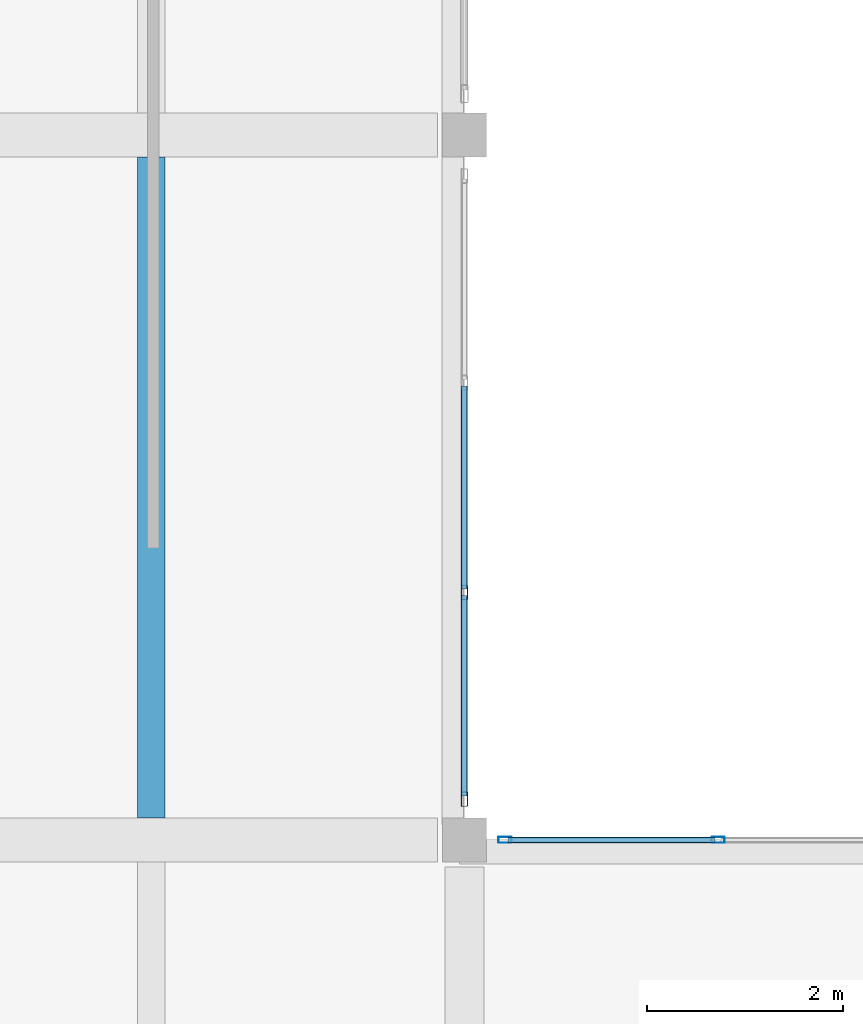
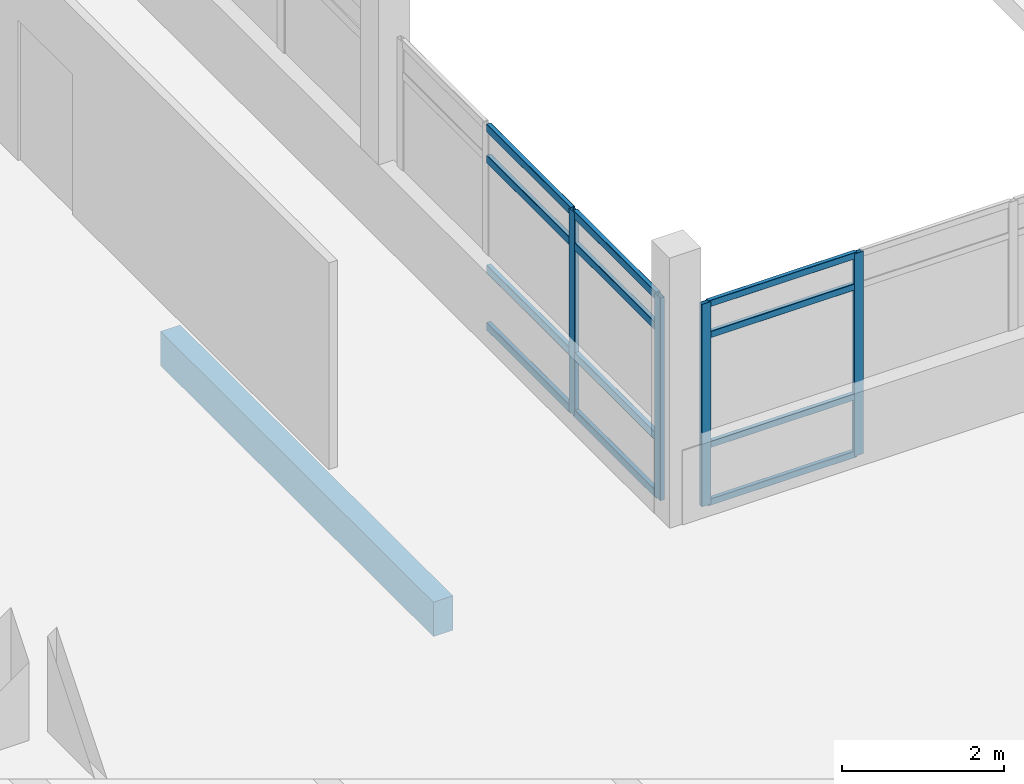
# One storey, part 4 of 50: 16 members, 1 beam, 2 elements without a shape of their own.
"""IFC4 building model written with IfcOpenShell, lengths in metres."""

from ifc_helpers import new_model, si_unit, direction, frame, origin, origin_2d, place, context, subcontext, project, spatial, rectangle, hollow_rectangle, extrude, material, layer, layer_set, material_profile, profile_set, type_object, element, aggregate, save


model = new_model("IFC4")

# Units and contexts
model_context = context("Model", 3, precision=1e-05, world=origin(), true_north=direction((0.0, 1.0)))
body_context = subcontext(model_context, "Body", "Model", "MODEL_VIEW")
ifc_project = project(units=[si_unit("LENGTHUNIT", "METRE"), si_unit("AREAUNIT", "SQUARE_METRE"), si_unit("VOLUMEUNIT", "CUBIC_METRE"), si_unit("PLANEANGLEUNIT", "RADIAN"), si_unit("MASSUNIT", "GRAM", prefix="KILO")], contexts=[model_context])

# Site, building, storey
site_placement = place(None, origin())
site = spatial("IfcSite", under=ifc_project, at=site_placement, CompositionType="ELEMENT")
building_placement = place(site_placement, origin())
building = spatial("IfcBuilding", under=site, at=building_placement, Name="Asteropetra Specialist Clinic", CompositionType="ELEMENT")
storey_placement = place(building_placement, frame((0.0, 0.0, 16.659912109375)))
storey = spatial("IfcBuildingStorey", under=building, at=storey_placement, Name="L04", CompositionType="ELEMENT", Elevation=16.659912109375)

# Curtain wall, members
ifc_material_1 = material(Name="Aluminium and low-E glass", Category="aluminium")
ifc_layer_1 = layer(ifc_material_1, 0.14990234375)
ifc_layer_set_1 = layer_set([ifc_layer_1], Name="Aluminium and low-E glass")
curtain_wall_type_1 = type_object("IfcCurtainWallType", Name="CW-SYS-08", PredefinedType="USERDEFINED", material=ifc_layer_set_1)
curtain_wall_1_placement = place(storey_placement, origin())
curtain_wall_1 = element("IfcCurtainWall", 1, at=curtain_wall_1_placement, inside=storey, type_object=curtain_wall_type_1, Name="Curtain Wall CW-089", ObjectType="STICK GLAZED COLONNADE", PredefinedType="USERDEFINED")
ifc_material_2 = material(Name="Aluminium 6063-T6", Category="aluminium")
ifc_material_profile_1 = material_profile(ifc_material_2, hollow_rectangle(XDim=0.06005859375, YDim=0.135009765625, WallThickness=0.00341796875, InnerFilletRadius=0.00341796875, OuterFilletRadius=0.007080078125, at=origin_2d()), Name="MUL 135x60x3.5")
ifc_profile_set_1 = profile_set([ifc_material_profile_1], Name="Aluminium 6063-T6")
member_type_1 = type_object("IfcMemberType", Name="CWM-135x60", PredefinedType="MULLION", material=ifc_profile_set_1)
member_1_placement = place(storey_placement, frame((125.215087890625, 19.199951171875, 0.0), z_axis=(0.0, 0.0, 1.0), x_axis=(0.0, 1.0, 0.0)))
member_1 = element("IfcMember", 2, at=member_1_placement, type_object=member_type_1, Name="CW-089 mullion 1", PredefinedType="MULLION", context=body_context, shape_type="SweptSolid", body=[
    extrude(hollow_rectangle(XDim=0.06005859375, YDim=0.135009765625, WallThickness=0.00341796875, InnerFilletRadius=0.00341796875, OuterFilletRadius=0.007080078125, at=origin_2d()), origin(), (0.0, 0.0, 1.0), 3.06005859375),
])
member_2_placement = place(storey_placement, frame((127.392578125, 19.199951171875, 0.0), z_axis=(0.0, 0.0, 1.0), x_axis=(0.0, 1.0, 0.0)))
member_2 = element("IfcMember", 3, at=member_2_placement, type_object=member_type_1, Name="CW-089 mullion 2", PredefinedType="MULLION", context=body_context, shape_type="SweptSolid", body=[
    extrude(hollow_rectangle(XDim=0.06005859375, YDim=0.135009765625, WallThickness=0.00341796875, InnerFilletRadius=0.00341796875, OuterFilletRadius=0.007080078125, at=origin_2d()), origin(), (0.0, 0.0, 1.0), 3.06005859375),
])

ifc_material_3 = material(Name="Aluminium and low-E glass", Category="aluminium")
ifc_layer_2 = layer(ifc_material_3, 0.179931640625)
ifc_layer_set_2 = layer_set([ifc_layer_2], Name="Aluminium and low-E glass")
curtain_wall_type_2 = type_object("IfcCurtainWallType", Name="CW-SYS-10", PredefinedType="USERDEFINED", material=ifc_layer_set_2)
curtain_wall_2_placement = place(storey_placement, origin())
curtain_wall_2 = element("IfcCurtainWall", 4, at=curtain_wall_2_placement, inside=storey, type_object=curtain_wall_type_2, Name="Curtain Wall CW-091", ObjectType="STICK GLAZED COLONNADE", PredefinedType="USERDEFINED")
ifc_material_4 = material(Name="Aluminium 6063-T6", Category="aluminium")
ifc_material_profile_2 = material_profile(ifc_material_4, hollow_rectangle(XDim=0.06494140625, YDim=0.14990234375, WallThickness=0.00390625, InnerFilletRadius=0.00390625, OuterFilletRadius=0.008056640625, at=origin_2d()), Name="MUL 150x65x4.0")
ifc_profile_set_2 = profile_set([ifc_material_profile_2], Name="Aluminium 6063-T6")
member_type_2 = type_object("IfcMemberType", Name="CWM-150x65", PredefinedType="MULLION", material=ifc_profile_set_2)
member_3_placement = place(storey_placement, frame((124.800048828125, 21.728271484375, 0.0), z_axis=(0.0, 0.0, 1.0), x_axis=(1.0, 0.0, 0.0)))
member_3 = element("IfcMember", 5, at=member_3_placement, type_object=member_type_2, Name="CW-091 mullion 3", PredefinedType="MULLION", context=body_context, shape_type="SweptSolid", body=[
    extrude(hollow_rectangle(XDim=0.06494140625, YDim=0.14990234375, WallThickness=0.00390625, InnerFilletRadius=0.00390625, OuterFilletRadius=0.008056640625, at=origin_2d()), origin(), (0.0, 0.0, 1.0), 3.06005859375),
])
member_4_placement = place(storey_placement, frame((124.800048828125, 19.617431640625, 0.0), z_axis=(0.0, 0.0, 1.0), x_axis=(1.0, 0.0, 0.0)))
member_4 = element("IfcMember", 6, at=member_4_placement, type_object=member_type_2, Name="CW-091 mullion 4", PredefinedType="MULLION", context=body_context, shape_type="SweptSolid", body=[
    extrude(hollow_rectangle(XDim=0.06494140625, YDim=0.14990234375, WallThickness=0.00390625, InnerFilletRadius=0.00390625, OuterFilletRadius=0.008056640625, at=origin_2d()), origin(), (0.0, 0.0, 1.0), 3.06005859375),
])

# Member
ifc_material_5 = material(Name="Aluminium 6063-T6", Category="aluminium")
ifc_material_profile_3 = material_profile(ifc_material_5, hollow_rectangle(XDim=0.06005859375, YDim=0.10009765625, WallThickness=0.00341796875, InnerFilletRadius=0.00341796875, OuterFilletRadius=0.007080078125, at=origin_2d()), Name="TRN 100x60x3.5")
ifc_profile_set_3 = profile_set([ifc_material_profile_3], Name="Aluminium 6063-T6")
member_type_3 = type_object("IfcMemberType", Name="CWT-100x60", PredefinedType="USERDEFINED", material=ifc_profile_set_3)
member_5_placement = place(storey_placement, frame((125.2451171875, 19.199951171875, 0.030029296875), z_axis=(1.0, 0.0, 0.0), x_axis=(0.0, 1.0, 0.0)))
member_5 = element("IfcMember", 7, at=member_5_placement, type_object=member_type_3, Name="CW-089 transom 1.1", ObjectType="TRANSOM", PredefinedType="USERDEFINED", context=body_context, shape_type="SweptSolid", body=[
    extrude(hollow_rectangle(XDim=0.06005859375, YDim=0.10009765625, WallThickness=0.00341796875, InnerFilletRadius=0.00341796875, OuterFilletRadius=0.007080078125, at=origin_2d()), origin(), (0.0, 0.0, 1.0), 2.117431640625),
])

member_6_placement = place(storey_placement, frame((125.2451171875, 19.199951171875, 0.900146484375), z_axis=(1.0, 0.0, 0.0), x_axis=(0.0, 1.0, 0.0)))
member_6 = element("IfcMember", 8, at=member_6_placement, type_object=member_type_3, Name="CW-089 transom 1.2", ObjectType="TRANSOM", PredefinedType="USERDEFINED", context=body_context, shape_type="SweptSolid", body=[
    extrude(hollow_rectangle(XDim=0.06005859375, YDim=0.10009765625, WallThickness=0.00341796875, InnerFilletRadius=0.00341796875, OuterFilletRadius=0.007080078125, at=origin_2d()), origin(), (0.0, 0.0, 1.0), 2.117431640625),
])

member_7_placement = place(storey_placement, frame((125.2451171875, 19.199951171875, 2.56005859375), z_axis=(1.0, 0.0, 0.0), x_axis=(0.0, 1.0, 0.0)))
member_7 = element("IfcMember", 9, at=member_7_placement, type_object=member_type_3, Name="CW-089 transom 1.3", ObjectType="TRANSOM", PredefinedType="USERDEFINED", context=body_context, shape_type="SweptSolid", body=[
    extrude(hollow_rectangle(XDim=0.06005859375, YDim=0.10009765625, WallThickness=0.00341796875, InnerFilletRadius=0.00341796875, OuterFilletRadius=0.007080078125, at=origin_2d()), origin(), (0.0, 0.0, 1.0), 2.117431640625),
])

member_8_placement = place(storey_placement, frame((125.2451171875, 19.199951171875, 3.030029296875), z_axis=(1.0, 0.0, 0.0), x_axis=(0.0, 1.0, 0.0)))
member_8 = element("IfcMember", 10, at=member_8_placement, type_object=member_type_3, Name="CW-089 transom 1.4", ObjectType="TRANSOM", PredefinedType="USERDEFINED", context=body_context, shape_type="SweptSolid", body=[
    extrude(hollow_rectangle(XDim=0.06005859375, YDim=0.10009765625, WallThickness=0.00341796875, InnerFilletRadius=0.00341796875, OuterFilletRadius=0.007080078125, at=origin_2d()), origin(), (0.0, 0.0, 1.0), 2.117431640625),
])

aggregate(curtain_wall_1, [member_1, member_2, member_5, member_6, member_7, member_8])

ifc_material_6 = material(Name="Aluminium 6063-T6", Category="aluminium")
ifc_material_profile_4 = material_profile(ifc_material_6, hollow_rectangle(XDim=0.06494140625, YDim=0.1201171875, WallThickness=0.00390625, InnerFilletRadius=0.00390625, OuterFilletRadius=0.008056640625, at=origin_2d()), Name="TRN 120x65x4.0")
ifc_profile_set_4 = profile_set([ifc_material_profile_4], Name="Aluminium 6063-T6")
member_type_4 = type_object("IfcMemberType", Name="CWT-120x65", PredefinedType="USERDEFINED", material=ifc_profile_set_4)
member_9_placement = place(storey_placement, frame((124.800048828125, 23.839111328125, 0.032470703125), z_axis=(0.0, -1.0, 0.0), x_axis=(1.0, 0.0, 0.0)))
member_9 = element("IfcMember", 11, at=member_9_placement, type_object=member_type_4, Name="CW-091 transom 2.1", ObjectType="TRANSOM", PredefinedType="USERDEFINED", context=body_context, shape_type="SweptSolid", body=[
    extrude(hollow_rectangle(XDim=0.06494140625, YDim=0.1201171875, WallThickness=0.00390625, InnerFilletRadius=0.00390625, OuterFilletRadius=0.008056640625, at=origin_2d()), origin(), (0.0, 0.0, 1.0), 2.078369140625),
])

member_10_placement = place(storey_placement, frame((124.800048828125, 23.839111328125, 0.900146484375), z_axis=(0.0, -1.0, 0.0), x_axis=(1.0, 0.0, 0.0)))
member_10 = element("IfcMember", 12, at=member_10_placement, type_object=member_type_4, Name="CW-091 transom 2.2", ObjectType="TRANSOM", PredefinedType="USERDEFINED", context=body_context, shape_type="SweptSolid", body=[
    extrude(hollow_rectangle(XDim=0.06494140625, YDim=0.1201171875, WallThickness=0.00390625, InnerFilletRadius=0.00390625, OuterFilletRadius=0.008056640625, at=origin_2d()), origin(), (0.0, 0.0, 1.0), 2.078369140625),
])

member_11_placement = place(storey_placement, frame((124.800048828125, 23.839111328125, 2.56005859375), z_axis=(0.0, -1.0, 0.0), x_axis=(1.0, 0.0, 0.0)))
member_11 = element("IfcMember", 13, at=member_11_placement, type_object=member_type_4, Name="CW-091 transom 2.3", ObjectType="TRANSOM", PredefinedType="USERDEFINED", context=body_context, shape_type="SweptSolid", body=[
    extrude(hollow_rectangle(XDim=0.06494140625, YDim=0.1201171875, WallThickness=0.00390625, InnerFilletRadius=0.00390625, OuterFilletRadius=0.008056640625, at=origin_2d()), origin(), (0.0, 0.0, 1.0), 2.078369140625),
])

member_12_placement = place(storey_placement, frame((124.800048828125, 23.839111328125, 3.027587890625), z_axis=(0.0, -1.0, 0.0), x_axis=(1.0, 0.0, 0.0)))
member_12 = element("IfcMember", 14, at=member_12_placement, type_object=member_type_4, Name="CW-091 transom 2.4", ObjectType="TRANSOM", PredefinedType="USERDEFINED", context=body_context, shape_type="SweptSolid", body=[
    extrude(hollow_rectangle(XDim=0.06494140625, YDim=0.1201171875, WallThickness=0.00390625, InnerFilletRadius=0.00390625, OuterFilletRadius=0.008056640625, at=origin_2d()), origin(), (0.0, 0.0, 1.0), 2.078369140625),
])

member_13_placement = place(storey_placement, frame((124.800048828125, 21.69580078125, 0.032470703125), z_axis=(0.0, -1.0, 0.0), x_axis=(1.0, 0.0, 0.0)))
member_13 = element("IfcMember", 15, at=member_13_placement, type_object=member_type_4, Name="CW-091 transom 3.1", ObjectType="TRANSOM", PredefinedType="USERDEFINED", context=body_context, shape_type="SweptSolid", body=[
    extrude(hollow_rectangle(XDim=0.06494140625, YDim=0.1201171875, WallThickness=0.00390625, InnerFilletRadius=0.00390625, OuterFilletRadius=0.008056640625, at=origin_2d()), origin(), (0.0, 0.0, 1.0), 2.0458984375),
])

member_14_placement = place(storey_placement, frame((124.800048828125, 21.69580078125, 0.900146484375), z_axis=(0.0, -1.0, 0.0), x_axis=(1.0, 0.0, 0.0)))
member_14 = element("IfcMember", 16, at=member_14_placement, type_object=member_type_4, Name="CW-091 transom 3.2", ObjectType="TRANSOM", PredefinedType="USERDEFINED", context=body_context, shape_type="SweptSolid", body=[
    extrude(hollow_rectangle(XDim=0.06494140625, YDim=0.1201171875, WallThickness=0.00390625, InnerFilletRadius=0.00390625, OuterFilletRadius=0.008056640625, at=origin_2d()), origin(), (0.0, 0.0, 1.0), 2.0458984375),
])

member_15_placement = place(storey_placement, frame((124.800048828125, 21.69580078125, 2.56005859375), z_axis=(0.0, -1.0, 0.0), x_axis=(1.0, 0.0, 0.0)))
member_15 = element("IfcMember", 17, at=member_15_placement, type_object=member_type_4, Name="CW-091 transom 3.3", ObjectType="TRANSOM", PredefinedType="USERDEFINED", context=body_context, shape_type="SweptSolid", body=[
    extrude(hollow_rectangle(XDim=0.06494140625, YDim=0.1201171875, WallThickness=0.00390625, InnerFilletRadius=0.00390625, OuterFilletRadius=0.008056640625, at=origin_2d()), origin(), (0.0, 0.0, 1.0), 2.0458984375),
])

member_16_placement = place(storey_placement, frame((124.800048828125, 21.69580078125, 3.027587890625), z_axis=(0.0, -1.0, 0.0), x_axis=(1.0, 0.0, 0.0)))
member_16 = element("IfcMember", 18, at=member_16_placement, type_object=member_type_4, Name="CW-091 transom 3.4", ObjectType="TRANSOM", PredefinedType="USERDEFINED", context=body_context, shape_type="SweptSolid", body=[
    extrude(hollow_rectangle(XDim=0.06494140625, YDim=0.1201171875, WallThickness=0.00390625, InnerFilletRadius=0.00390625, OuterFilletRadius=0.008056640625, at=origin_2d()), origin(), (0.0, 0.0, 1.0), 2.0458984375),
])

aggregate(curtain_wall_2, [member_3, member_4, member_9, member_10, member_11, member_12, member_13, member_14, member_15, member_16])

# Beam
ifc_material_7 = material(Name="Concrete C35/45", Category="concrete")
ifc_material_profile_5 = material_profile(ifc_material_7, rectangle(XDim=0.280029296875, YDim=0.52001953125, at=origin_2d()), Name="RCJ 280x520")
ifc_profile_set_5 = profile_set([ifc_material_profile_5], Name="Concrete C35/45")
beam_type = type_object("IfcBeamType", Name="JST-RC280x520", PredefinedType="JOIST", material=ifc_profile_set_5)
beam_placement = place(storey_placement, frame((121.60009765625, 19.425048828125, -0.559814453125), z_axis=(0.0, 1.0, 0.0), x_axis=(-1.0, 0.0, 0.0)))
element("IfcBeam", 19, at=beam_placement, inside=storey, type_object=beam_type, Name="Joist JJST01-1756", PredefinedType="JOIST", context=body_context, shape_type="SweptSolid", body=[
    extrude(rectangle(XDim=0.280029296875, YDim=0.52001953125, at=origin_2d()), origin(), (0.0, 0.0, 1.0), 6.75),
])

save(model, "model.ifc")
